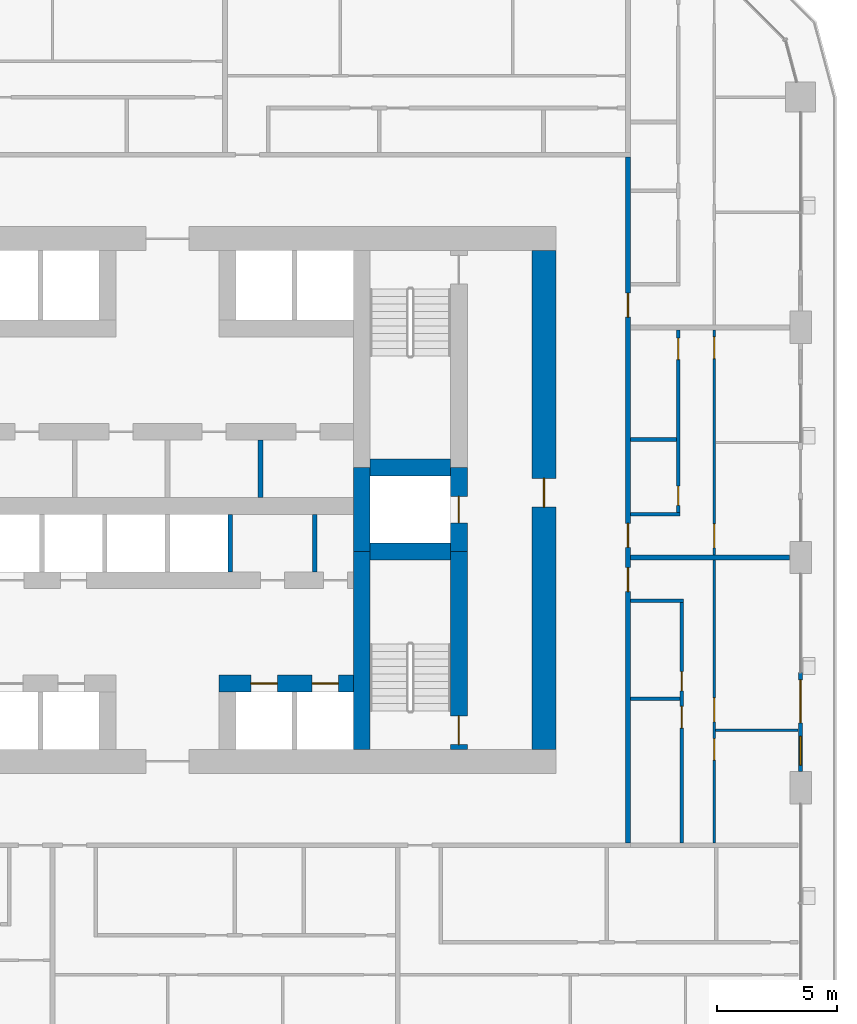
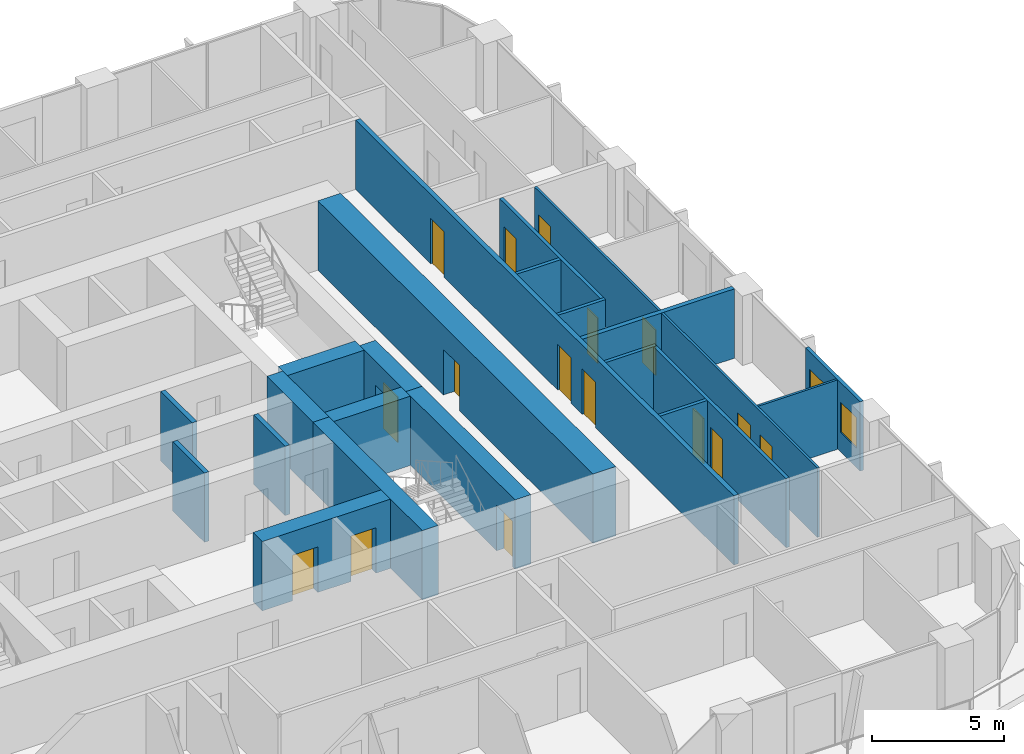
# One storey, part 12 of 21: 23 walls, 17 doors, 1 window, 18 openings.
"""IFC4 building model written with IfcOpenShell, lengths in metres."""

from ifc_helpers import new_model, si_unit, direction, frame, frame_2d, origin, place, context, subcontext, project, spatial, rectangle, extrude, material, layer, layer_set, type_object, element, fill, save


model = new_model("IFC4")

# Units and contexts
model_context = context("Model", 3, precision=1e-05, world=origin(), true_north=direction((0.0, 1.0)))
body_context = subcontext(model_context, "Body", "Model", "MODEL_VIEW")
ifc_project = project(units=[si_unit("LENGTHUNIT", "METRE"), si_unit("AREAUNIT", "SQUARE_METRE"), si_unit("VOLUMEUNIT", "CUBIC_METRE"), si_unit("PLANEANGLEUNIT", "RADIAN"), si_unit("MASSUNIT", "GRAM", prefix="KILO")], contexts=[model_context])

# Site, building, storey
site_placement = place(None, origin())
site = spatial("IfcSite", under=ifc_project, at=site_placement, CompositionType="ELEMENT")
building_placement = place(site_placement, origin())
building = spatial("IfcBuilding", under=site, at=building_placement, Name="Madar Terraces", CompositionType="ELEMENT")
storey_placement = place(building_placement, frame((0.0, 0.0, 46.89990234375)))
storey = spatial("IfcBuildingStorey", under=building, at=storey_placement, Name="L11", CompositionType="ELEMENT", Elevation=46.89990234375)

# Walls
ifc_material_1 = material(Name="Concrete C80/95", Category="concrete")
ifc_layer_1 = layer(ifc_material_1, 0.699951171875)
ifc_layer_set_1 = layer_set([ifc_layer_1], Name="Concrete C80/95 (CIW1 RC wall 700)")
wall_type_1 = type_object("IfcWallType", Name="CIW1 RC wall 700", PredefinedType="SHEAR", material=ifc_layer_set_1)
wall_1_placement = place(storey_placement, frame((39.300048828125, 16.0, 0.0), z_axis=(0.0, 0.0, 1.0), x_axis=(0.0, 1.0, 0.0)))
element("IfcWall", 1, at=wall_1_placement, inside=storey, type_object=wall_type_1, Name="CORE SHAFT WALL", PredefinedType="SHEAR", context=body_context, shape_type="SweptSolid", body=[
    extrude(rectangle(XDim=8.25, YDim=0.699951171875, at=frame_2d((4.125, 0.0))), origin(), (0.0, 0.0, 1.0), 3.2001953125),
])
wall_2_placement = place(storey_placement, frame((39.300048828125, 24.25, 0.0), z_axis=(0.0, 0.0, 1.0), x_axis=(0.0, 1.0, 0.0)))
element("IfcWall", 2, at=wall_2_placement, inside=storey, type_object=wall_type_1, Name="CORE SHAFT WALL", PredefinedType="SHEAR", context=body_context, shape_type="SweptSolid", body=[
    extrude(rectangle(XDim=3.5, YDim=0.699951171875, at=frame_2d((1.75, 0.0))), origin(), (0.0, 0.0, 1.0), 3.2001953125),
])

# Wall, opening, door
wall_3_placement = place(storey_placement, frame((43.35009765625, 16.0, 0.0), z_axis=(0.0, 0.0, 1.0), x_axis=(0.0, 1.0, 0.0)))
wall_3 = element("IfcWall", 3, at=wall_3_placement, inside=storey, type_object=wall_type_1, Name="CORE SHAFT WALL", PredefinedType="SHEAR", context=body_context, shape_type="SweptSolid", body=[
    extrude(rectangle(XDim=8.25, YDim=0.699951171875, at=frame_2d((4.125, 0.0))), origin(), (0.0, 0.0, 1.0), 3.2001953125),
])
opening_1_placement = place(wall_3_placement, frame((0.199951171875, 0.0, 0.0)))
opening_1 = element("IfcOpeningElement", 4, at=opening_1_placement, cuts=wall_3, Name="Opening SD1", PredefinedType="OPENING", context=body_context, shape_type="SweptSolid", body=[
    extrude(rectangle(XDim=1.199951171875, YDim=2.10009765625, at=frame_2d((0.60009765625, 1.050048828125))), frame((0.0, 0.35986328125, 0.0), z_axis=(0.0, -1.0, 0.0), x_axis=(1.0, 0.0, 0.0)), (0.0, 0.0, 1.0), 0.719970703125),
])
ifc_material_2 = material(Name="Steel door leaf", Category="steel")
door_type_1 = type_object("IfcDoorType", Name="Stair door 1200 x 2100", OperationType="NOTDEFINED", PredefinedType="DOOR", material=ifc_material_2)
door_1_placement = place(opening_1_placement, origin())
door_1 = element("IfcDoor", 5, at=door_1_placement, inside=storey, type_object=door_type_1, Name="STAIR DOOR", OperationType="SINGLE_SWING_RIGHT", OverallHeight=2.10009765625, OverallWidth=1.199951171875, PredefinedType="DOOR", context=body_context, shape_type="SweptSolid", body=[
    extrude(rectangle(XDim=1.199951171875, YDim=2.10009765625, at=frame_2d((0.60009765625, 1.050048828125))), frame((0.0, 0.02490234375, 0.0), z_axis=(0.0, -1.0, 0.0), x_axis=(1.0, 0.0, 0.0)), (0.0, 0.0, 1.0), 0.050048828125),
])
fill(opening_1, door_1)

wall_4_placement = place(storey_placement, frame((43.35009765625, 24.25, 0.0), z_axis=(0.0, 0.0, 1.0), x_axis=(0.0, 1.0, 0.0)))
wall_4 = element("IfcWall", 6, at=wall_4_placement, inside=storey, type_object=wall_type_1, Name="CORE SHAFT WALL", PredefinedType="SHEAR", context=body_context, shape_type="SweptSolid", body=[
    extrude(rectangle(XDim=3.5, YDim=0.699951171875, at=frame_2d((1.75, 0.0))), origin(), (0.0, 0.0, 1.0), 3.2001953125),
])
opening_2_placement = place(wall_4_placement, frame((1.199951171875, 0.0, 0.0)))
opening_2 = element("IfcOpeningElement", 7, at=opening_2_placement, cuts=wall_4, Name="Opening LD", PredefinedType="OPENING", context=body_context, shape_type="SweptSolid", body=[
    extrude(rectangle(XDim=1.10009765625, YDim=2.10009765625, at=frame_2d((0.550048828125, 1.050048828125))), frame((0.0, 0.35986328125, 0.0), z_axis=(0.0, -1.0, 0.0), x_axis=(1.0, 0.0, 0.0)), (0.0, 0.0, 1.0), 0.719970703125),
])
ifc_material_3 = material(Name="Stainless steel panel", Category="steel")
door_type_2 = type_object("IfcDoorType", Name="Lift landing door 1100 x 2100", OperationType="DOUBLE_DOOR_SLIDING", PredefinedType="DOOR", material=ifc_material_3)
door_2_placement = place(opening_2_placement, origin())
door_2 = element("IfcDoor", 8, at=door_2_placement, inside=storey, type_object=door_type_2, Name="LIFT LANDING DOOR", OperationType="DOUBLE_DOOR_SLIDING", OverallHeight=2.10009765625, OverallWidth=1.10009765625, PredefinedType="DOOR", context=body_context, shape_type="SweptSolid", body=[
    extrude(rectangle(XDim=1.10009765625, YDim=2.10009765625, at=frame_2d((0.550048828125, 1.050048828125))), frame((0.0, 0.02490234375, 0.0), z_axis=(0.0, -1.0, 0.0), x_axis=(1.0, 0.0, 0.0)), (0.0, 0.0, 1.0), 0.050048828125),
])
fill(opening_2, door_2)

# Walls
for number, where, z_axis, x_axis, name in (
    (9, (39.64990234375, 24.25, 0.0), (0.0, 0.0, 1.0), (1.0, 0.0, 0.0), "CORE SHAFT WALL"),
    (10, (39.64990234375, 27.75, 0.0), (0.0, 0.0, 1.0), (1.0, 0.0, 0.0), "CORE SHAFT WALL"),
):
    element("IfcWall", number, at=place(storey_placement, frame(where, z_axis=z_axis, x_axis=x_axis)), inside=storey, type_object=wall_type_1, Name=name, PredefinedType="SHEAR", context=body_context, shape_type="SweptSolid", body=[
        extrude(rectangle(XDim=3.35009765625, YDim=0.699951171875, at=frame_2d((1.675048828125, 0.0))), origin(), (0.0, 0.0, 1.0), 3.2001953125),
    ])

# Wall, openings, doors
wall_5_placement = place(storey_placement, frame((33.35009765625, 18.75, 0.0), z_axis=(0.0, 0.0, 1.0), x_axis=(1.0, 0.0, 0.0)))
wall_5 = element("IfcWall", 11, at=wall_5_placement, inside=storey, type_object=wall_type_1, Name="CORE SHAFT WALL", PredefinedType="SHEAR", context=body_context, shape_type="SweptSolid", body=[
    extrude(rectangle(XDim=5.599853515625, YDim=0.699951171875, at=frame_2d((2.7998046875, 0.0))), origin(), (0.0, 0.0, 1.0), 3.2001953125),
])
opening_3_placement = place(wall_5_placement, frame((1.324951171875, 0.0, 0.0)))
opening_3 = element("IfcOpeningElement", 12, at=opening_3_placement, cuts=wall_5, Name="Opening LD", PredefinedType="OPENING", context=body_context, shape_type="SweptSolid", body=[
    extrude(rectangle(XDim=1.10009765625, YDim=2.10009765625, at=frame_2d((0.550048828125, 1.050048828125))), frame((0.0, 0.35986328125, 0.0), z_axis=(0.0, -1.0, 0.0), x_axis=(1.0, 0.0, 0.0)), (0.0, 0.0, 1.0), 0.719970703125),
])
opening_4_placement = place(wall_5_placement, frame((3.875, 0.0, 0.0)))
opening_4 = element("IfcOpeningElement", 13, at=opening_4_placement, cuts=wall_5, Name="Opening LD", PredefinedType="OPENING", context=body_context, shape_type="SweptSolid", body=[
    extrude(rectangle(XDim=1.10009765625, YDim=2.10009765625, at=frame_2d((0.550048828125, 1.050048828125))), frame((0.0, 0.35986328125, 0.0), z_axis=(0.0, -1.0, 0.0), x_axis=(1.0, 0.0, 0.0)), (0.0, 0.0, 1.0), 0.719970703125),
])
door_3_placement = place(opening_3_placement, origin())
door_3 = element("IfcDoor", 14, at=door_3_placement, inside=storey, type_object=door_type_2, Name="LIFT LANDING DOOR", OperationType="DOUBLE_DOOR_SLIDING", OverallHeight=2.10009765625, OverallWidth=1.10009765625, PredefinedType="DOOR", context=body_context, shape_type="SweptSolid", body=[
    extrude(rectangle(XDim=1.10009765625, YDim=2.10009765625, at=frame_2d((0.550048828125, 1.050048828125))), frame((0.0, 0.02490234375, 0.0), z_axis=(0.0, -1.0, 0.0), x_axis=(1.0, 0.0, 0.0)), (0.0, 0.0, 1.0), 0.050048828125),
])
fill(opening_3, door_3)
door_4_placement = place(opening_4_placement, origin())
door_4 = element("IfcDoor", 15, at=door_4_placement, inside=storey, type_object=door_type_2, Name="LIFT LANDING DOOR", OperationType="DOUBLE_DOOR_SLIDING", OverallHeight=2.10009765625, OverallWidth=1.10009765625, PredefinedType="DOOR", context=body_context, shape_type="SweptSolid", body=[
    extrude(rectangle(XDim=1.10009765625, YDim=2.10009765625, at=frame_2d((0.550048828125, 1.050048828125))), frame((0.0, 0.02490234375, 0.0), z_axis=(0.0, -1.0, 0.0), x_axis=(1.0, 0.0, 0.0)), (0.0, 0.0, 1.0), 0.050048828125),
])
fill(opening_4, door_4)

# Wall, opening, door
ifc_material_4 = material(Name="Concrete C80/95", Category="concrete")
ifc_layer_2 = layer(ifc_material_4, 1.0)
ifc_layer_set_2 = layer_set([ifc_layer_2], Name="Concrete C80/95 (CRW1 RC wall 1000)")
wall_type_2 = type_object("IfcWallType", Name="CRW1 RC wall 1000", PredefinedType="SHEAR", material=ifc_layer_set_2)
wall_6_placement = place(storey_placement, frame((46.89990234375, 16.0, 0.0), z_axis=(0.0, 0.0, 1.0), x_axis=(0.0, 1.0, 0.0)))
wall_6 = element("IfcWall", 16, at=wall_6_placement, inside=storey, type_object=wall_type_2, Name="CORE OUTER WALL", PredefinedType="SHEAR", context=body_context, shape_type="SweptSolid", body=[
    extrude(rectangle(XDim=20.800048828125, YDim=1.0, at=frame_2d((10.39990234375, 0.0))), origin(), (0.0, 0.0, 1.0), 3.2001953125),
])
opening_5_placement = place(wall_6_placement, frame((10.10009765625, 0.0, 0.0)))
opening_5 = element("IfcOpeningElement", 17, at=opening_5_placement, cuts=wall_6, Name="Opening SD1", PredefinedType="OPENING", context=body_context, shape_type="SweptSolid", body=[
    extrude(rectangle(XDim=1.199951171875, YDim=2.10009765625, at=frame_2d((0.60009765625, 1.050048828125))), frame((0.0, 0.510009765625, 0.0), z_axis=(0.0, -1.0, 0.0), x_axis=(1.0, 0.0, 0.0)), (0.0, 0.0, 1.0), 1.02001953125),
])
door_5_placement = place(opening_5_placement, origin())
door_5 = element("IfcDoor", 18, at=door_5_placement, inside=storey, type_object=door_type_1, Name="STAIR DOOR", OperationType="SINGLE_SWING_LEFT", OverallHeight=2.10009765625, OverallWidth=1.199951171875, PredefinedType="DOOR", context=body_context, shape_type="SweptSolid", body=[
    extrude(rectangle(XDim=1.199951171875, YDim=2.10009765625, at=frame_2d((0.60009765625, 1.050048828125))), frame((0.0, 0.02490234375, 0.0), z_axis=(0.0, -1.0, 0.0), x_axis=(1.0, 0.0, 0.0)), (0.0, 0.0, 1.0), 0.050048828125),
])
fill(opening_5, door_5)

# Walls
ifc_material_5 = material(Name="Masonry blockwork", Category="masonry")
ifc_layer_3 = layer(ifc_material_5, 0.199951171875)
ifc_layer_set_3 = layer_set([ifc_layer_3], Name="Core partition 200 blockwork")
wall_type_3 = type_object("IfcWallType", Name="Core partition 200 blockwork", PredefinedType="PARTITIONING", material=ifc_layer_set_3)
wall_7_placement = place(storey_placement, frame((37.33935546875, 23.39990234375, 0.0), z_axis=(0.0, 0.0, 1.0), x_axis=(0.0, 1.0, 0.0)))
element("IfcWall", 19, at=wall_7_placement, inside=storey, type_object=wall_type_3, Name="SERVICE ROOM PARTITION", PredefinedType="PARTITIONING", context=body_context, shape_type="SweptSolid", body=[
    extrude(rectangle(XDim=2.400146484375, YDim=0.199951171875, at=frame_2d((1.2001953125, 0.0))), origin(), (0.0, 0.0, 1.0), 3.2001953125),
])
wall_8_placement = place(storey_placement, frame((35.074951171875, 26.5, 0.0), z_axis=(0.0, 0.0, 1.0), x_axis=(0.0, 1.0, 0.0)))
element("IfcWall", 20, at=wall_8_placement, inside=storey, type_object=wall_type_3, Name="SERVICE ROOM PARTITION", PredefinedType="PARTITIONING", context=body_context, shape_type="SweptSolid", body=[
    extrude(rectangle(XDim=2.39990234375, YDim=0.199951171875, at=frame_2d((1.199951171875, 0.0))), origin(), (0.0, 0.0, 1.0), 3.2001953125),
])
ifc_material_6 = material(Name="Concrete C40/50", Category="concrete")
ifc_layer_4 = layer(ifc_material_6, 0.199951171875)
ifc_layer_set_4 = layer_set([ifc_layer_4], Name="Core shaft dividing wall 200 C40/50")
wall_type_4 = type_object("IfcWallType", Name="Core shaft dividing wall 200 C40/50", PredefinedType="SOLIDWALL", material=ifc_layer_set_4)
wall_9_placement = place(storey_placement, frame((33.816650390625, 23.39990234375, 0.0), z_axis=(0.0, 0.0, 1.0), x_axis=(0.0, 1.0, 0.0)))
element("IfcWall", 21, at=wall_9_placement, inside=storey, type_object=wall_type_4, Name="SHAFT DIVIDING WALL", PredefinedType="SOLIDWALL", context=body_context, shape_type="SweptSolid", body=[
    extrude(rectangle(XDim=2.400146484375, YDim=0.199951171875, at=frame_2d((1.2001953125, 0.0))), origin(), (0.0, 0.0, 1.0), 3.2001953125),
])

# Wall, openings, door, window
ifc_material_7 = material(Name="Aluminium composite panel, black, over insulated backing", Category="aluminium")
ifc_layer_5 = layer(ifc_material_7, 0.14990234375)
ifc_layer_set_5 = layer_set([ifc_layer_5], Name="Facade bay panel 150")
wall_type_5 = type_object("IfcWallType", Name="Facade bay panel 150", PredefinedType="SOLIDWALL", material=ifc_layer_set_5)
wall_10_placement = place(storey_placement, frame((57.60009765625, 15.074951171875, 0.0), z_axis=(0.0, 0.0, 1.0), x_axis=(0.0, 1.0, 0.0)))
wall_10 = element("IfcWall", 22, at=wall_10_placement, inside=storey, type_object=wall_type_5, Name="Facade bay panel", PredefinedType="SOLIDWALL", context=body_context, shape_type="SweptSolid", body=[
    extrude(rectangle(XDim=4.125, YDim=0.14990234375, at=frame_2d((2.0625, 0.0))), origin(), (0.0, 0.0, 1.0), 3.2001953125),
])
opening_6_placement = place(wall_10_placement, frame((0.262451171875, 0.0, 0.89990234375)))
opening_6 = element("IfcOpeningElement", 23, at=opening_6_placement, cuts=wall_10, Name="Opening W1", PredefinedType="OPENING", context=body_context, shape_type="SweptSolid", body=[
    extrude(rectangle(XDim=1.199951171875, YDim=1.39990234375, at=frame_2d((0.60009765625, 0.699951171875))), frame((0.0, 0.0849609375, 0.0), z_axis=(0.0, -1.0, 0.0), x_axis=(1.0, 0.0, 0.0)), (0.0, 0.0, 1.0), 0.169921875),
])
opening_7_placement = place(wall_10_placement, frame((2.02490234375, 0.0, 0.0)))
opening_7 = element("IfcOpeningElement", 24, at=opening_7_placement, cuts=wall_10, Name="Opening ED1", PredefinedType="OPENING", context=body_context, shape_type="SweptSolid", body=[
    extrude(rectangle(XDim=1.800048828125, YDim=2.39990234375, at=frame_2d((0.89990234375, 1.199951171875))), frame((0.0, 0.0849609375, 0.0), z_axis=(0.0, -1.0, 0.0), x_axis=(1.0, 0.0, 0.0)), (0.0, 0.0, 1.0), 0.169921875),
])
ifc_material_8 = material(Name="Glass, clear, with black aluminium frame", Category="aluminium")
door_type_3 = type_object("IfcDoorType", Name="Balcony and terrace sliding door 1800 x 2400", OperationType="SLIDING_TO_LEFT", PredefinedType="DOOR", material=ifc_material_8)
door_6_placement = place(opening_7_placement, origin())
door_6 = element("IfcDoor", 25, at=door_6_placement, inside=storey, type_object=door_type_3, Name="Balcony door", OperationType="SLIDING_TO_RIGHT", OverallHeight=2.39990234375, OverallWidth=1.800048828125, PredefinedType="DOOR", context=body_context, shape_type="SweptSolid", body=[
    extrude(rectangle(XDim=1.800048828125, YDim=2.39990234375, at=frame_2d((0.89990234375, 1.199951171875))), frame((0.0, 0.02490234375, 0.0), z_axis=(0.0, -1.0, 0.0), x_axis=(1.0, 0.0, 0.0)), (0.0, 0.0, 1.0), 0.050048828125),
])
fill(opening_7, door_6)
ifc_material_9 = material(Name="Glass, clear, with black aluminium frame", Category="aluminium")
window_type = type_object("IfcWindowType", Name="Vent window 1200 x 1400", PartitioningType="SINGLE_PANEL", PredefinedType="WINDOW", material=ifc_material_9)
window_placement = place(opening_6_placement, origin())
window = element("IfcWindow", 26, at=window_placement, inside=storey, type_object=window_type, Name="Operable vent window", OverallHeight=1.39990234375, OverallWidth=1.199951171875, PartitioningType="SINGLE_PANEL", PredefinedType="WINDOW", context=body_context, shape_type="SweptSolid", body=[
    extrude(rectangle(XDim=1.199951171875, YDim=1.39990234375, at=frame_2d((0.60009765625, 0.699951171875))), frame((0.0, 0.030029296875, 0.0), z_axis=(0.0, -1.0, 0.0), x_axis=(1.0, 0.0, 0.0)), (0.0, 0.0, 1.0), 0.06005859375),
])
fill(opening_6, window)

# Wall
ifc_material_10 = material(Name="Gypsum board on steel studs", Category="steel")
ifc_layer_6 = layer(ifc_material_10, 0.10009765625)
ifc_layer_set_6 = layer_set([ifc_layer_6], Name="Flat partition 100")
wall_type_6 = type_object("IfcWallType", Name="Flat partition 100", PredefinedType="PARTITIONING", material=ifc_layer_set_6)
wall_11_placement = place(storey_placement, frame((54.050048828125, 16.800048828125, 0.0), z_axis=(0.0, 0.0, 1.0), x_axis=(1.0, 0.0, 0.0)))
element("IfcWall", 27, at=wall_11_placement, inside=storey, type_object=wall_type_6, Name="Flat partition 100", PredefinedType="PARTITIONING", context=body_context, shape_type="SweptSolid", body=[
    extrude(rectangle(XDim=3.449951171875, YDim=0.10009765625, at=frame_2d((1.72509765625, 0.0))), origin(), (0.0, 0.0, 1.0), 3.2001953125),
])

# Wall, openings, doors
wall_12_placement = place(storey_placement, frame((54.0, 23.89990234375, 0.0), z_axis=(0.0, 0.0, 1.0), x_axis=(0.0, -1.0, 0.0)))
wall_12 = element("IfcWall", 28, at=wall_12_placement, inside=storey, type_object=wall_type_6, Name="Flat partition 100", PredefinedType="PARTITIONING", context=body_context, shape_type="SweptSolid", body=[
    extrude(rectangle(XDim=11.7998046875, YDim=0.10009765625, at=frame_2d((5.89990234375, 0.0))), origin(), (0.0, 0.0, 1.0), 3.2001953125),
])
opening_8_placement = place(wall_12_placement, frame((5.75, 0.0, 0.0)))
opening_8 = element("IfcOpeningElement", 29, at=opening_8_placement, cuts=wall_12, Name="Opening D3", PredefinedType="OPENING", context=body_context, shape_type="SweptSolid", body=[
    extrude(rectangle(XDim=1.0, YDim=2.10009765625, at=frame_2d((0.5, 1.050048828125))), frame((0.0, 0.06005859375, 0.0), z_axis=(0.0, -1.0, 0.0), x_axis=(1.0, 0.0, 0.0)), (0.0, 0.0, 1.0), 0.1201171875),
])
opening_9_placement = place(wall_12_placement, frame((7.449951171875, 0.0, 0.0)))
opening_9 = element("IfcOpeningElement", 30, at=opening_9_placement, cuts=wall_12, Name="Opening D2", PredefinedType="OPENING", context=body_context, shape_type="SweptSolid", body=[
    extrude(rectangle(XDim=0.89990234375, YDim=2.10009765625, at=frame_2d((0.449951171875, 1.050048828125))), frame((0.0, 0.06005859375, 0.0), z_axis=(0.0, -1.0, 0.0), x_axis=(1.0, 0.0, 0.0)), (0.0, 0.0, 1.0), 0.1201171875),
])
ifc_material_11 = material(Name="Timber door leaf", Category="wood")
door_type_4 = type_object("IfcDoorType", Name="Flat living room door 1000", OperationType="NOTDEFINED", PredefinedType="DOOR", material=ifc_material_11)
door_7_placement = place(opening_8_placement, origin())
door_7 = element("IfcDoor", 31, at=door_7_placement, inside=storey, type_object=door_type_4, Name="Flat living room door 1000", OperationType="SINGLE_SWING_RIGHT", OverallHeight=2.10009765625, OverallWidth=1.0, PredefinedType="DOOR", context=body_context, shape_type="SweptSolid", body=[
    extrude(rectangle(XDim=1.0, YDim=2.10009765625, at=frame_2d((0.5, 1.050048828125))), frame((0.0, 0.02490234375, 0.0), z_axis=(0.0, -1.0, 0.0), x_axis=(1.0, 0.0, 0.0)), (0.0, 0.0, 1.0), 0.050048828125),
])
fill(opening_8, door_7)
ifc_material_12 = material(Name="Timber door leaf", Category="wood")
door_type_5 = type_object("IfcDoorType", Name="Flat room door 900", OperationType="NOTDEFINED", PredefinedType="DOOR", material=ifc_material_12)
door_8_placement = place(opening_9_placement, origin())
door_8 = element("IfcDoor", 32, at=door_8_placement, inside=storey, type_object=door_type_5, Name="Flat room door 900", OperationType="SINGLE_SWING_LEFT", OverallHeight=2.10009765625, OverallWidth=0.89990234375, PredefinedType="DOOR", context=body_context, shape_type="SweptSolid", body=[
    extrude(rectangle(XDim=0.89990234375, YDim=2.10009765625, at=frame_2d((0.449951171875, 1.050048828125))), frame((0.0, 0.02490234375, 0.0), z_axis=(0.0, -1.0, 0.0), x_axis=(1.0, 0.0, 0.0)), (0.0, 0.0, 1.0), 0.050048828125),
])
fill(opening_9, door_8)

wall_13_placement = place(storey_placement, frame((54.0, 33.5, 0.0), z_axis=(0.0, 0.0, 1.0), x_axis=(0.0, -1.0, 0.0)))
wall_13 = element("IfcWall", 33, at=wall_13_placement, inside=storey, type_object=wall_type_6, Name="Flat partition 100", PredefinedType="PARTITIONING", context=body_context, shape_type="SweptSolid", body=[
    extrude(rectangle(XDim=9.39990234375, YDim=0.10009765625, at=frame_2d((4.699951171875, 0.0))), origin(), (0.0, 0.0, 1.0), 3.2001953125),
])
opening_10_placement = place(wall_13_placement, frame((8.10009765625, 0.0, 0.0)))
opening_10 = element("IfcOpeningElement", 34, at=opening_10_placement, cuts=wall_13, Name="Opening D3", PredefinedType="OPENING", context=body_context, shape_type="SweptSolid", body=[
    extrude(rectangle(XDim=1.0, YDim=2.10009765625, at=frame_2d((0.5, 1.050048828125))), frame((0.0, 0.06005859375, 0.0), z_axis=(0.0, -1.0, 0.0), x_axis=(1.0, 0.0, 0.0)), (0.0, 0.0, 1.0), 0.1201171875),
])
opening_11_placement = place(wall_13_placement, frame((0.300048828125, 0.0, 0.0)))
opening_11 = element("IfcOpeningElement", 35, at=opening_11_placement, cuts=wall_13, Name="Opening D2", PredefinedType="OPENING", context=body_context, shape_type="SweptSolid", body=[
    extrude(rectangle(XDim=0.89990234375, YDim=2.10009765625, at=frame_2d((0.449951171875, 1.050048828125))), frame((0.0, 0.06005859375, 0.0), z_axis=(0.0, -1.0, 0.0), x_axis=(1.0, 0.0, 0.0)), (0.0, 0.0, 1.0), 0.1201171875),
])
door_9_placement = place(opening_10_placement, origin())
door_9 = element("IfcDoor", 36, at=door_9_placement, inside=storey, type_object=door_type_4, Name="Flat living room door 1000", OperationType="SINGLE_SWING_RIGHT", OverallHeight=2.10009765625, OverallWidth=1.0, PredefinedType="DOOR", context=body_context, shape_type="SweptSolid", body=[
    extrude(rectangle(XDim=1.0, YDim=2.10009765625, at=frame_2d((0.5, 1.050048828125))), frame((0.0, 0.02490234375, 0.0), z_axis=(0.0, -1.0, 0.0), x_axis=(1.0, 0.0, 0.0)), (0.0, 0.0, 1.0), 0.050048828125),
])
fill(opening_10, door_9)
door_10_placement = place(opening_11_placement, origin())
door_10 = element("IfcDoor", 37, at=door_10_placement, inside=storey, type_object=door_type_5, Name="Flat room door 900", OperationType="SINGLE_SWING_LEFT", OverallHeight=2.10009765625, OverallWidth=0.89990234375, PredefinedType="DOOR", context=body_context, shape_type="SweptSolid", body=[
    extrude(rectangle(XDim=0.89990234375, YDim=2.10009765625, at=frame_2d((0.449951171875, 1.050048828125))), frame((0.0, 0.02490234375, 0.0), z_axis=(0.0, -1.0, 0.0), x_axis=(1.0, 0.0, 0.0)), (0.0, 0.0, 1.0), 0.050048828125),
])
fill(opening_11, door_10)

ifc_material_13 = material(Name="Lightweight blockwork", Category="masonry")
ifc_layer_7 = layer(ifc_material_13, 0.199951171875)
ifc_layer_set_7 = layer_set([ifc_layer_7], Name="Flat party and entrance wall 200")
wall_type_7 = type_object("IfcWallType", Name="Flat party and entrance wall 200", PredefinedType="PARTITIONING", material=ifc_layer_set_7)
wall_14_placement = place(storey_placement, frame((50.39990234375, 40.699951171875, 0.0), z_axis=(0.0, 0.0, 1.0), x_axis=(0.0, -1.0, 0.0)))
wall_14 = element("IfcWall", 38, at=wall_14_placement, inside=storey, type_object=wall_type_7, Name="Flat party and entrance wall 200", PredefinedType="PARTITIONING", context=body_context, shape_type="SweptSolid", body=[
    extrude(rectangle(XDim=28.599853515625, YDim=0.199951171875, at=frame_2d((14.2998046875, 0.0))), origin(), (0.0, 0.0, 1.0), 3.2001953125),
])
opening_12_placement = place(wall_14_placement, frame((17.125, 0.0, 0.0)))
opening_12 = element("IfcOpeningElement", 39, at=opening_12_placement, cuts=wall_14, Name="Opening D1", PredefinedType="OPENING", context=body_context, shape_type="SweptSolid", body=[
    extrude(rectangle(XDim=1.0, YDim=2.10009765625, at=frame_2d((0.5, 1.050048828125))), frame((0.0, 0.10986328125, 0.0), z_axis=(0.0, -1.0, 0.0), x_axis=(1.0, 0.0, 0.0)), (0.0, 0.0, 1.0), 0.219970703125),
])
opening_13_placement = place(wall_14_placement, frame((15.27490234375, 0.0, 0.0)))
opening_13 = element("IfcOpeningElement", 40, at=opening_13_placement, cuts=wall_14, Name="Opening D1", PredefinedType="OPENING", context=body_context, shape_type="SweptSolid", body=[
    extrude(rectangle(XDim=1.0, YDim=2.10009765625, at=frame_2d((0.5, 1.050048828125))), frame((0.0, 0.10986328125, 0.0), z_axis=(0.0, -1.0, 0.0), x_axis=(1.0, 0.0, 0.0)), (0.0, 0.0, 1.0), 0.219970703125),
])
opening_14_placement = place(wall_14_placement, frame((5.675048828125, 0.0, 0.0)))
opening_14 = element("IfcOpeningElement", 41, at=opening_14_placement, cuts=wall_14, Name="Opening D1", PredefinedType="OPENING", context=body_context, shape_type="SweptSolid", body=[
    extrude(rectangle(XDim=1.0, YDim=2.10009765625, at=frame_2d((0.5, 1.050048828125))), frame((0.0, 0.10986328125, 0.0), z_axis=(0.0, -1.0, 0.0), x_axis=(1.0, 0.0, 0.0)), (0.0, 0.0, 1.0), 0.219970703125),
])
ifc_material_14 = material(Name="Timber fire door leaf", Category="wood")
door_type_6 = type_object("IfcDoorType", Name="Flat entrance door 1000 FD30S", OperationType="NOTDEFINED", PredefinedType="DOOR", material=ifc_material_14)
door_11_placement = place(opening_12_placement, origin())
door_11 = element("IfcDoor", 42, at=door_11_placement, inside=storey, type_object=door_type_6, Name="Flat entrance door 1000 FD30S", OperationType="SINGLE_SWING_LEFT", OverallHeight=2.10009765625, OverallWidth=1.0, PredefinedType="DOOR", context=body_context, shape_type="SweptSolid", body=[
    extrude(rectangle(XDim=1.0, YDim=2.10009765625, at=frame_2d((0.5, 1.050048828125))), frame((0.0, 0.02490234375, 0.0), z_axis=(0.0, -1.0, 0.0), x_axis=(1.0, 0.0, 0.0)), (0.0, 0.0, 1.0), 0.050048828125),
])
fill(opening_12, door_11)
door_12_placement = place(opening_13_placement, origin())
door_12 = element("IfcDoor", 43, at=door_12_placement, inside=storey, type_object=door_type_6, Name="Flat entrance door 1000 FD30S", OperationType="SINGLE_SWING_RIGHT", OverallHeight=2.10009765625, OverallWidth=1.0, PredefinedType="DOOR", context=body_context, shape_type="SweptSolid", body=[
    extrude(rectangle(XDim=1.0, YDim=2.10009765625, at=frame_2d((0.5, 1.050048828125))), frame((0.0, 0.02490234375, 0.0), z_axis=(0.0, -1.0, 0.0), x_axis=(1.0, 0.0, 0.0)), (0.0, 0.0, 1.0), 0.050048828125),
])
fill(opening_13, door_12)
door_13_placement = place(opening_14_placement, origin())
door_13 = element("IfcDoor", 44, at=door_13_placement, inside=storey, type_object=door_type_6, Name="Flat entrance door 1000 FD30S", OperationType="SINGLE_SWING_RIGHT", OverallHeight=2.10009765625, OverallWidth=1.0, PredefinedType="DOOR", context=body_context, shape_type="SweptSolid", body=[
    extrude(rectangle(XDim=1.0, YDim=2.10009765625, at=frame_2d((0.5, 1.050048828125))), frame((0.0, 0.02490234375, 0.0), z_axis=(0.0, -1.0, 0.0), x_axis=(1.0, 0.0, 0.0)), (0.0, 0.0, 1.0), 0.050048828125),
])
fill(opening_14, door_13)

# Walls
wall_15_placement = place(storey_placement, frame((50.5, 24.0, 0.0), z_axis=(0.0, 0.0, 1.0), x_axis=(1.0, 0.0, 0.0)))
element("IfcWall", 45, at=wall_15_placement, inside=storey, type_object=wall_type_7, Name="Flat party and entrance wall 200", PredefinedType="PARTITIONING", context=body_context, shape_type="SweptSolid", body=[
    extrude(rectangle(XDim=6.64990234375, YDim=0.199951171875, at=frame_2d((3.324951171875, 0.0))), origin(), (0.0, 0.0, 1.0), 3.2001953125),
])
ifc_material_15 = material(Name="Lightweight blockwork", Category="masonry")
ifc_layer_8 = layer(ifc_material_15, 0.14990234375)
ifc_layer_set_8 = layer_set([ifc_layer_8], Name="Flat wet-room partition 150")
wall_type_8 = type_object("IfcWallType", Name="Flat wet-room partition 150", PredefinedType="PARTITIONING", material=ifc_layer_set_8)
wall_16_placement = place(storey_placement, frame((50.5, 18.114990234375, 0.0), z_axis=(0.0, 0.0, 1.0), x_axis=(1.0, 0.0, 0.0)))
element("IfcWall", 46, at=wall_16_placement, inside=storey, type_object=wall_type_8, Name="Flat wet-room partition 150", PredefinedType="PARTITIONING", context=body_context, shape_type="SweptSolid", body=[
    extrude(rectangle(XDim=2.074951171875, YDim=0.14990234375, at=frame_2d((1.03759765625, 0.0))), origin(), (0.0, 0.0, 1.0), 3.2001953125),
])
wall_17_placement = place(storey_placement, frame((50.5, 22.199951171875, 0.0), z_axis=(0.0, 0.0, 1.0), x_axis=(1.0, 0.0, 0.0)))
element("IfcWall", 47, at=wall_17_placement, inside=storey, type_object=wall_type_8, Name="Flat wet-room partition 150", PredefinedType="PARTITIONING", context=body_context, shape_type="SweptSolid", body=[
    extrude(rectangle(XDim=2.22509765625, YDim=0.14990234375, at=frame_2d((1.112548828125, 0.0))), origin(), (0.0, 0.0, 1.0), 3.2001953125),
])

# Wall, openings, doors
wall_18_placement = place(storey_placement, frame((52.64990234375, 12.10009765625, 0.0), z_axis=(0.0, 0.0, 1.0), x_axis=(0.0, 1.0, 0.0)))
wall_18 = element("IfcWall", 48, at=wall_18_placement, inside=storey, type_object=wall_type_8, Name="Flat wet-room partition 150", PredefinedType="PARTITIONING", context=body_context, shape_type="SweptSolid", body=[
    extrude(rectangle(XDim=10.02490234375, YDim=0.14990234375, at=frame_2d((5.012451171875, 0.0))), origin(), (0.0, 0.0, 1.0), 3.2001953125),
])
opening_15_placement = place(wall_18_placement, frame((6.340087890625, 0.0, 0.0)))
opening_15 = element("IfcOpeningElement", 49, at=opening_15_placement, cuts=wall_18, Name="Opening D4", PredefinedType="OPENING", context=body_context, shape_type="SweptSolid", body=[
    extrude(rectangle(XDim=0.800048828125, YDim=2.10009765625, at=frame_2d((0.39990234375, 1.050048828125))), frame((0.0, 0.0849609375, 0.0), z_axis=(0.0, -1.0, 0.0), x_axis=(1.0, 0.0, 0.0)), (0.0, 0.0, 1.0), 0.169921875),
])
opening_16_placement = place(wall_18_placement, frame((4.7900390625, 0.0, 0.0)))
opening_16 = element("IfcOpeningElement", 50, at=opening_16_placement, cuts=wall_18, Name="Opening D2", PredefinedType="OPENING", context=body_context, shape_type="SweptSolid", body=[
    extrude(rectangle(XDim=0.89990234375, YDim=2.10009765625, at=frame_2d((0.449951171875, 1.050048828125))), frame((0.0, 0.0849609375, 0.0), z_axis=(0.0, -1.0, 0.0), x_axis=(1.0, 0.0, 0.0)), (0.0, 0.0, 1.0), 0.169921875),
])
ifc_material_16 = material(Name="Timber door leaf", Category="wood")
door_type_7 = type_object("IfcDoorType", Name="Flat bathroom door 800", OperationType="NOTDEFINED", PredefinedType="DOOR", material=ifc_material_16)
door_14_placement = place(opening_15_placement, origin())
door_14 = element("IfcDoor", 51, at=door_14_placement, inside=storey, type_object=door_type_7, Name="Flat bathroom door 800", OperationType="SINGLE_SWING_LEFT", OverallHeight=2.10009765625, OverallWidth=0.800048828125, PredefinedType="DOOR", context=body_context, shape_type="SweptSolid", body=[
    extrude(rectangle(XDim=0.800048828125, YDim=2.10009765625, at=frame_2d((0.39990234375, 1.050048828125))), frame((0.0, 0.02490234375, 0.0), z_axis=(0.0, -1.0, 0.0), x_axis=(1.0, 0.0, 0.0)), (0.0, 0.0, 1.0), 0.050048828125),
])
fill(opening_15, door_14)
door_15_placement = place(opening_16_placement, origin())
door_15 = element("IfcDoor", 52, at=door_15_placement, inside=storey, type_object=door_type_5, Name="Flat room door 900", OperationType="SINGLE_SWING_RIGHT", OverallHeight=2.10009765625, OverallWidth=0.89990234375, PredefinedType="DOOR", context=body_context, shape_type="SweptSolid", body=[
    extrude(rectangle(XDim=0.89990234375, YDim=2.10009765625, at=frame_2d((0.449951171875, 1.050048828125))), frame((0.0, 0.02490234375, 0.0), z_axis=(0.0, -1.0, 0.0), x_axis=(1.0, 0.0, 0.0)), (0.0, 0.0, 1.0), 0.050048828125),
])
fill(opening_16, door_15)

# Walls
wall_19_placement = place(storey_placement, frame((50.5, 28.925048828125, 0.0), z_axis=(0.0, 0.0, 1.0), x_axis=(1.0, 0.0, 0.0)))
element("IfcWall", 53, at=wall_19_placement, inside=storey, type_object=wall_type_8, Name="Flat wet-room partition 150", PredefinedType="PARTITIONING", context=body_context, shape_type="SweptSolid", body=[
    extrude(rectangle(XDim=1.925048828125, YDim=0.14990234375, at=frame_2d((0.96240234375, 0.0))), origin(), (0.0, 0.0, 1.0), 3.2001953125),
])
wall_20_placement = place(storey_placement, frame((50.5, 25.800048828125, 0.0), z_axis=(0.0, 0.0, 1.0), x_axis=(1.0, 0.0, 0.0)))
element("IfcWall", 54, at=wall_20_placement, inside=storey, type_object=wall_type_8, Name="Flat wet-room partition 150", PredefinedType="PARTITIONING", context=body_context, shape_type="SweptSolid", body=[
    extrude(rectangle(XDim=2.074951171875, YDim=0.14990234375, at=frame_2d((1.03759765625, 0.0))), origin(), (0.0, 0.0, 1.0), 3.2001953125),
])

# Wall, openings, doors
wall_21_placement = place(storey_placement, frame((52.5, 25.875, 0.0), z_axis=(0.0, 0.0, 1.0), x_axis=(0.0, 1.0, 0.0)))
wall_21 = element("IfcWall", 55, at=wall_21_placement, inside=storey, type_object=wall_type_8, Name="Flat wet-room partition 150", PredefinedType="PARTITIONING", context=body_context, shape_type="SweptSolid", body=[
    extrude(rectangle(XDim=7.625, YDim=0.14990234375, at=frame_2d((3.8125, 0.0))), origin(), (0.0, 0.0, 1.0), 3.2001953125),
])
opening_17_placement = place(wall_21_placement, frame((0.300048828125, 0.0, 0.0)))
opening_17 = element("IfcOpeningElement", 56, at=opening_17_placement, cuts=wall_21, Name="Opening D4", PredefinedType="OPENING", context=body_context, shape_type="SweptSolid", body=[
    extrude(rectangle(XDim=0.800048828125, YDim=2.10009765625, at=frame_2d((0.39990234375, 1.050048828125))), frame((0.0, 0.0849609375, 0.0), z_axis=(0.0, -1.0, 0.0), x_axis=(1.0, 0.0, 0.0)), (0.0, 0.0, 1.0), 0.169921875),
])
opening_18_placement = place(wall_21_placement, frame((6.375, 0.0, 0.0)))
opening_18 = element("IfcOpeningElement", 57, at=opening_18_placement, cuts=wall_21, Name="Opening D2", PredefinedType="OPENING", context=body_context, shape_type="SweptSolid", body=[
    extrude(rectangle(XDim=0.89990234375, YDim=2.10009765625, at=frame_2d((0.449951171875, 1.050048828125))), frame((0.0, 0.0849609375, 0.0), z_axis=(0.0, -1.0, 0.0), x_axis=(1.0, 0.0, 0.0)), (0.0, 0.0, 1.0), 0.169921875),
])
door_16_placement = place(opening_17_placement, origin())
door_16 = element("IfcDoor", 58, at=door_16_placement, inside=storey, type_object=door_type_7, Name="Flat bathroom door 800", OperationType="SINGLE_SWING_LEFT", OverallHeight=2.10009765625, OverallWidth=0.800048828125, PredefinedType="DOOR", context=body_context, shape_type="SweptSolid", body=[
    extrude(rectangle(XDim=0.800048828125, YDim=2.10009765625, at=frame_2d((0.39990234375, 1.050048828125))), frame((0.0, 0.02490234375, 0.0), z_axis=(0.0, -1.0, 0.0), x_axis=(1.0, 0.0, 0.0)), (0.0, 0.0, 1.0), 0.050048828125),
])
fill(opening_17, door_16)
door_17_placement = place(opening_18_placement, origin())
door_17 = element("IfcDoor", 59, at=door_17_placement, inside=storey, type_object=door_type_5, Name="Flat room door 900", OperationType="SINGLE_SWING_RIGHT", OverallHeight=2.10009765625, OverallWidth=0.89990234375, PredefinedType="DOOR", context=body_context, shape_type="SweptSolid", body=[
    extrude(rectangle(XDim=0.89990234375, YDim=2.10009765625, at=frame_2d((0.449951171875, 1.050048828125))), frame((0.0, 0.02490234375, 0.0), z_axis=(0.0, -1.0, 0.0), x_axis=(1.0, 0.0, 0.0)), (0.0, 0.0, 1.0), 0.050048828125),
])
fill(opening_18, door_17)

save(model, "model.ifc")
